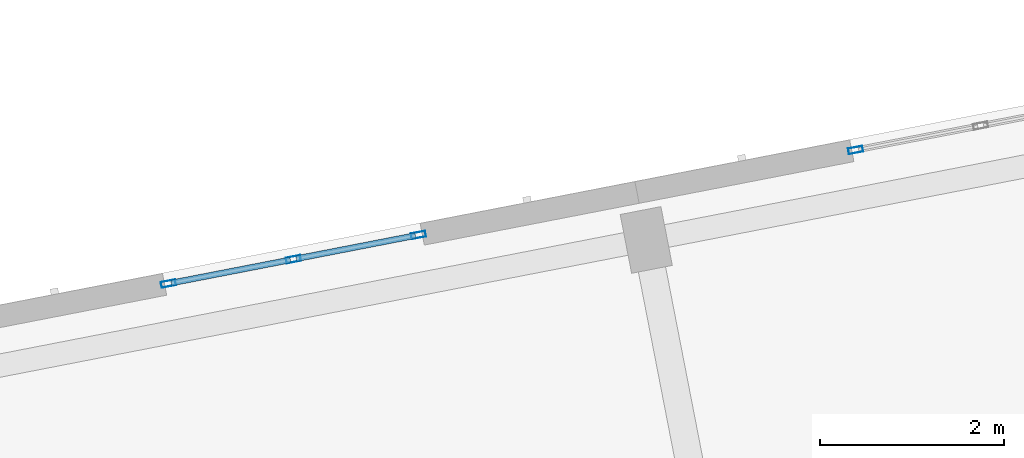
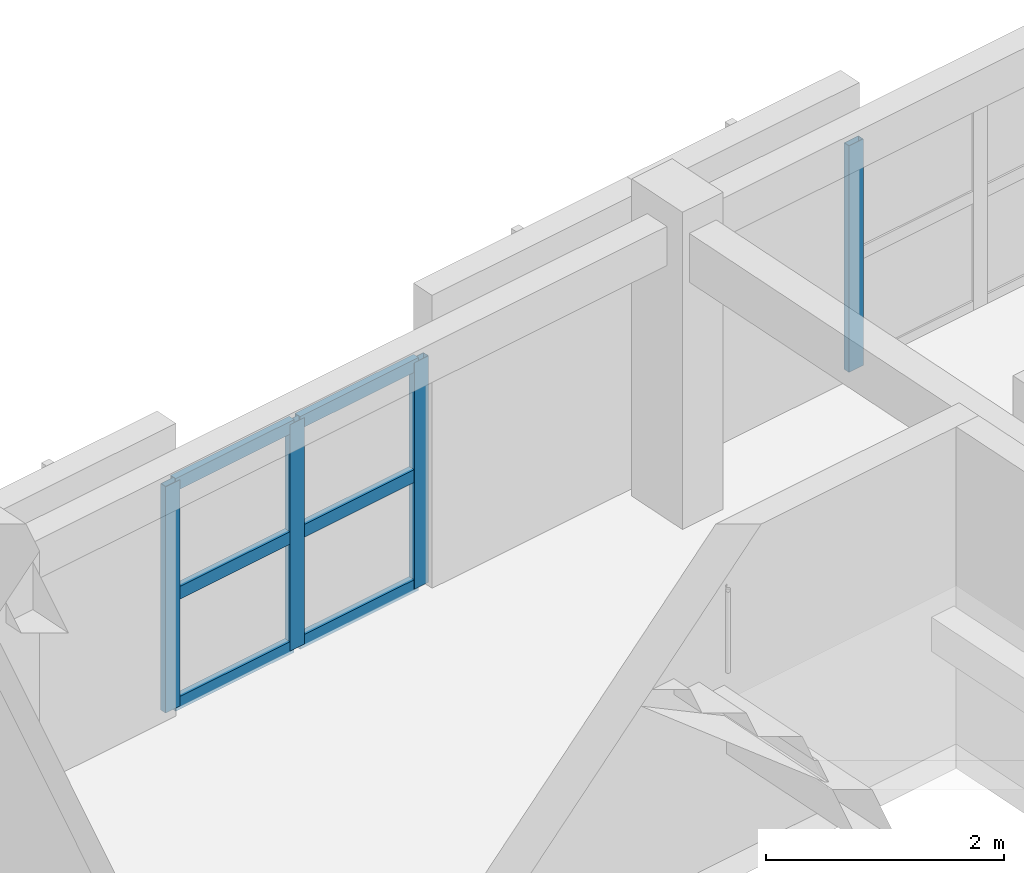
# One storey, part 10 of 68: 10 members, 2 elements without a shape of their own.
"""IFC4 building model written with IfcOpenShell, lengths in metres."""

from ifc_helpers import new_model, si_unit, direction, frame, origin, origin_2d, place, context, subcontext, project, spatial, hollow_rectangle, extrude, material, material_profile, profile_set, type_object, element, aggregate, save


model = new_model("IFC4")

# Units and contexts
model_context = context("Model", 3, precision=1e-05, world=origin(), true_north=direction((0.0, 1.0)))
body_context = subcontext(model_context, "Body", "Model", "MODEL_VIEW")
ifc_project = project(units=[si_unit("LENGTHUNIT", "METRE"), si_unit("AREAUNIT", "SQUARE_METRE"), si_unit("VOLUMEUNIT", "CUBIC_METRE"), si_unit("PLANEANGLEUNIT", "RADIAN"), si_unit("MASSUNIT", "GRAM", prefix="KILO")], contexts=[model_context])

# Site, building, storey
site_placement = place(None, origin())
site = spatial("IfcSite", under=ifc_project, at=site_placement, CompositionType="ELEMENT")
building_placement = place(site_placement, origin())
building = spatial("IfcBuilding", under=site, at=building_placement, Name="Kestramere Prow Commons", CompositionType="ELEMENT")
storey_placement = place(building_placement, frame((0.0, 0.0, 18.14990234375)))
storey = spatial("IfcBuildingStorey", under=building, at=storey_placement, Name="L05", CompositionType="ELEMENT", Elevation=18.14990234375)

# Curtain wall, members
ifc_material_1 = material(Name="Anodised Aluminium and Low-E Glass", Category="aluminium")
curtain_wall_type = type_object("IfcCurtainWallType", Name="CW-03 Glazed Curtain Wall 2830x2320", PredefinedType="USERDEFINED", material=ifc_material_1)
curtain_wall_1_placement = place(storey_placement, origin())
curtain_wall_1 = element("IfcCurtainWall", 1, at=curtain_wall_1_placement, inside=storey, type_object=curtain_wall_type, Name="Block D L05 Stairwell Vertical Glazing 4", ObjectType="GLAZED CURTAIN WALL", PredefinedType="USERDEFINED")
ifc_material_2 = material(Name="Anodised Aluminium 6063-T6", Category="aluminium")
ifc_material_profile_1 = material_profile(ifc_material_2, hollow_rectangle(XDim=0.06494140625, YDim=0.159912109375, WallThickness=0.00390625, at=origin_2d()), Name="ALU-MUL 65x160")
ifc_profile_set_1 = profile_set([ifc_material_profile_1], Name="Anodised Aluminium 6063-T6")
member_type_1 = type_object("IfcMemberType", Name="CW-MUL-65x160", PredefinedType="MULLION", material=ifc_profile_set_1)
member_1_placement = place(storey_placement, frame((139.314208984375, 58.56689453125, 0.0), z_axis=(0.0, 0.0, 1.0), x_axis=(-0.190808835118, 0.981627214599, 0.0)))
member_1 = element("IfcMember", 2, at=member_1_placement, type_object=member_type_1, Name="CW-03 mullion 1", PredefinedType="MULLION", context=body_context, shape_type="SweptSolid", body=[
    extrude(hollow_rectangle(XDim=0.06494140625, YDim=0.159912109375, WallThickness=0.00390625, at=origin_2d()), origin(), (0.0, 0.0, 1.0), 2.320068359375),
])
member_2_placement = place(storey_placement, frame((140.671142578125, 58.830810546875, 0.0), z_axis=(0.0, 0.0, 1.0), x_axis=(-0.190808835118, 0.981627214599, 0.0)))
member_2 = element("IfcMember", 3, at=member_2_placement, type_object=member_type_1, Name="CW-03 mullion 2", PredefinedType="MULLION", context=body_context, shape_type="SweptSolid", body=[
    extrude(hollow_rectangle(XDim=0.06494140625, YDim=0.159912109375, WallThickness=0.00390625, at=origin_2d()), origin(), (0.0, 0.0, 1.0), 2.320068359375),
])
member_3_placement = place(storey_placement, frame((142.0283203125, 59.094482421875, 0.0), z_axis=(0.0, 0.0, 1.0), x_axis=(-0.190808835118, 0.981627214599, 0.0)))
member_3 = element("IfcMember", 4, at=member_3_placement, type_object=member_type_1, Name="CW-03 mullion 3", PredefinedType="MULLION", context=body_context, shape_type="SweptSolid", body=[
    extrude(hollow_rectangle(XDim=0.06494140625, YDim=0.159912109375, WallThickness=0.00390625, at=origin_2d()), origin(), (0.0, 0.0, 1.0), 2.320068359375),
])

# Curtain wall, member
curtain_wall_2_placement = place(storey_placement, origin())
curtain_wall_2 = element("IfcCurtainWall", 5, at=curtain_wall_2_placement, inside=storey, type_object=curtain_wall_type, Name="Block D L05 Stairwell Vertical Glazing 5", ObjectType="GLAZED CURTAIN WALL", PredefinedType="USERDEFINED")
member_4_placement = place(storey_placement, frame((146.7744140625, 60.01708984375, 0.0), z_axis=(0.0, 0.0, 1.0), x_axis=(-0.190808835118, 0.981627214599, 0.0)))
member_4 = element("IfcMember", 6, at=member_4_placement, type_object=member_type_1, Name="CW-03 mullion 1", PredefinedType="MULLION", context=body_context, shape_type="SweptSolid", body=[
    extrude(hollow_rectangle(XDim=0.06494140625, YDim=0.159912109375, WallThickness=0.00390625, at=origin_2d()), origin(), (0.0, 0.0, 1.0), 2.320068359375),
])
aggregate(curtain_wall_2, [member_4])

# Member
ifc_material_profile_2 = material_profile(ifc_material_2, hollow_rectangle(XDim=0.06494140625, YDim=0.1298828125, WallThickness=0.00390625, at=origin_2d()), Name="ALU-TRN 65x130")
ifc_profile_set_2 = profile_set([ifc_material_profile_2], Name="Anodised Aluminium 6063-T6")
member_type_2 = type_object("IfcMemberType", Name="CW-TRN-65x130", PredefinedType="USERDEFINED", material=ifc_profile_set_2)
member_5_placement = place(storey_placement, frame((139.345947265625, 58.5732421875, 0.03271484375), z_axis=(0.981655869186, 0.190661360776, 0.0), x_axis=(-0.190661360776, 0.981655869186, 0.0)))
member_5 = element("IfcMember", 7, at=member_5_placement, type_object=member_type_2, Name="CW-03 transom 1.1", ObjectType="TRANSOM", PredefinedType="USERDEFINED", context=body_context, shape_type="SweptSolid", body=[
    extrude(hollow_rectangle(XDim=0.06494140625, YDim=0.1298828125, WallThickness=0.00390625, at=origin_2d()), origin(), (0.0, 0.0, 1.0), 1.317626953125),
])

member_6_placement = place(storey_placement, frame((139.345947265625, 58.5732421875, 1.16015625), z_axis=(0.981655869186, 0.190661360776, 0.0), x_axis=(-0.190661360776, 0.981655869186, 0.0)))
member_6 = element("IfcMember", 8, at=member_6_placement, type_object=member_type_2, Name="CW-03 transom 1.2", ObjectType="TRANSOM", PredefinedType="USERDEFINED", context=body_context, shape_type="SweptSolid", body=[
    extrude(hollow_rectangle(XDim=0.06494140625, YDim=0.1298828125, WallThickness=0.00390625, at=origin_2d()), origin(), (0.0, 0.0, 1.0), 1.317626953125),
])

member_7_placement = place(storey_placement, frame((139.345947265625, 58.5732421875, 2.28759765625), z_axis=(0.981655869186, 0.190661360776, 0.0), x_axis=(-0.190661360776, 0.981655869186, 0.0)))
member_7 = element("IfcMember", 9, at=member_7_placement, type_object=member_type_2, Name="CW-03 transom 1.3", ObjectType="TRANSOM", PredefinedType="USERDEFINED", context=body_context, shape_type="SweptSolid", body=[
    extrude(hollow_rectangle(XDim=0.06494140625, YDim=0.1298828125, WallThickness=0.00390625, at=origin_2d()), origin(), (0.0, 0.0, 1.0), 1.317626953125),
])

member_8_placement = place(storey_placement, frame((140.703125, 58.8369140625, 0.03271484375), z_axis=(0.981614425191, 0.190874619208, 0.0), x_axis=(-0.190874619208, 0.981614425191, 0.0)))
member_8 = element("IfcMember", 10, at=member_8_placement, type_object=member_type_2, Name="CW-03 transom 2.1", ObjectType="TRANSOM", PredefinedType="USERDEFINED", context=body_context, shape_type="SweptSolid", body=[
    extrude(hollow_rectangle(XDim=0.06494140625, YDim=0.1298828125, WallThickness=0.00390625, at=origin_2d()), origin(), (0.0, 0.0, 1.0), 1.3173828125),
])

member_9_placement = place(storey_placement, frame((140.703125, 58.8369140625, 1.16015625), z_axis=(0.981614425191, 0.190874619208, 0.0), x_axis=(-0.190874619208, 0.981614425191, 0.0)))
member_9 = element("IfcMember", 11, at=member_9_placement, type_object=member_type_2, Name="CW-03 transom 2.2", ObjectType="TRANSOM", PredefinedType="USERDEFINED", context=body_context, shape_type="SweptSolid", body=[
    extrude(hollow_rectangle(XDim=0.06494140625, YDim=0.1298828125, WallThickness=0.00390625, at=origin_2d()), origin(), (0.0, 0.0, 1.0), 1.3173828125),
])

member_10_placement = place(storey_placement, frame((140.703125, 58.8369140625, 2.28759765625), z_axis=(0.981614425191, 0.190874619208, 0.0), x_axis=(-0.190874619208, 0.981614425191, 0.0)))
member_10 = element("IfcMember", 12, at=member_10_placement, type_object=member_type_2, Name="CW-03 transom 2.3", ObjectType="TRANSOM", PredefinedType="USERDEFINED", context=body_context, shape_type="SweptSolid", body=[
    extrude(hollow_rectangle(XDim=0.06494140625, YDim=0.1298828125, WallThickness=0.00390625, at=origin_2d()), origin(), (0.0, 0.0, 1.0), 1.3173828125),
])

aggregate(curtain_wall_1, [member_1, member_2, member_3, member_5, member_6, member_7, member_8, member_9, member_10])

save(model, "model.ifc")
